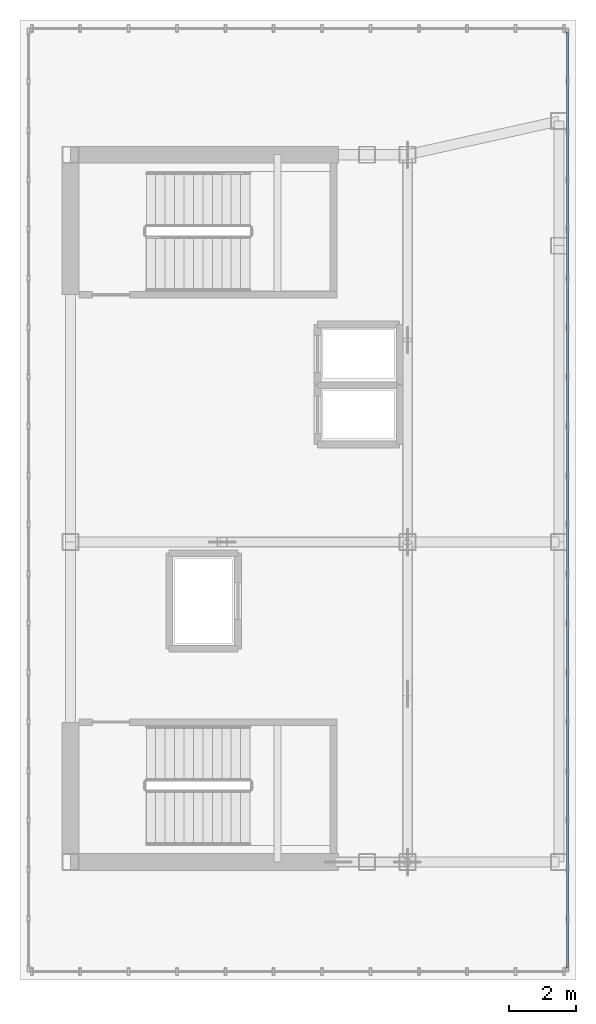
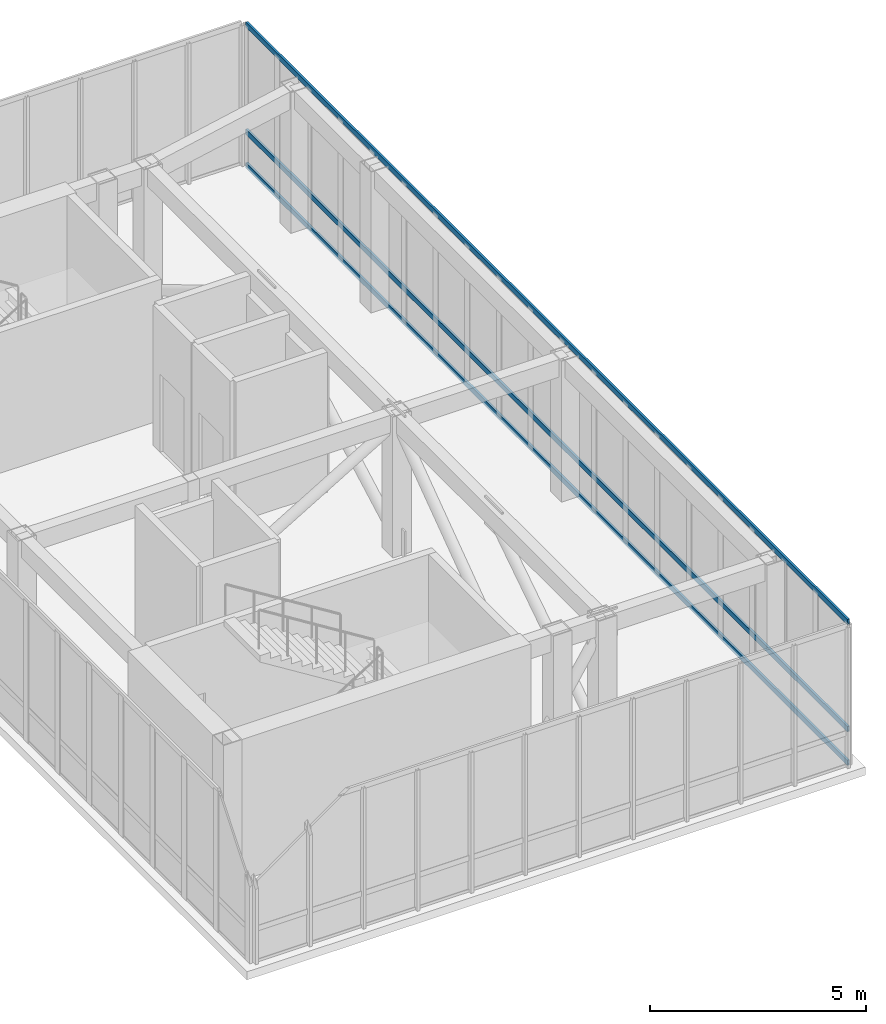
# One storey, part 6 of 13: 3 members, 1 element without a shape of its own.
"""IFC4 building model written with IfcOpenShell, lengths in metres."""

from ifc_helpers import new_model, si_unit, direction, frame, origin, origin_2d, place, context, subcontext, project, spatial, hollow_rectangle, extrude, source, transform, mapped, material, layer, layer_set, material_profile, profile_set, type_object, element, aggregate, save


model = new_model("IFC4")

# Units and contexts
model_context = context("Model", 3, precision=1e-05, world=origin(), true_north=direction((0.0, 1.0)))
body_context = subcontext(model_context, "Body", "Model", "MODEL_VIEW")
ifc_project = project(units=[si_unit("LENGTHUNIT", "METRE"), si_unit("AREAUNIT", "SQUARE_METRE"), si_unit("VOLUMEUNIT", "CUBIC_METRE"), si_unit("PLANEANGLEUNIT", "RADIAN"), si_unit("MASSUNIT", "GRAM", prefix="KILO")], contexts=[model_context])

# Site, building, storey
site_placement = place(None, origin())
site = spatial("IfcSite", under=ifc_project, at=site_placement, CompositionType="ELEMENT")
building_placement = place(site_placement, origin())
building = spatial("IfcBuilding", under=site, at=building_placement, Name="Kharzan Plaza Tower", CompositionType="ELEMENT")
storey_placement = place(building_placement, frame((0.0, 0.0, 289.800048828125)))
storey = spatial("IfcBuildingStorey", under=building, at=storey_placement, Name="L78-CROWN", CompositionType="ELEMENT", Elevation=289.800048828125)

# Curtain wall, members
ifc_material_1 = material(Name="Unitised Bronze-Anodized Aluminium and Low-E Glass", Category="aluminium")
ifc_layer = layer(ifc_material_1, 0.199951171875)
ifc_layer_set = layer_set([ifc_layer], Name="Unitised Bronze-Anodized Aluminium and Low-E Glass")
curtain_wall_type = type_object("IfcCurtainWallType", Name="CW-LANTERN-6", PredefinedType="NOTDEFINED", material=ifc_layer_set)
curtain_wall_placement = place(storey_placement, origin())
curtain_wall = element("IfcCurtainWall", 1, at=curtain_wall_placement, inside=storey, type_object=curtain_wall_type, Name="L78-CROWN Lantern Crown Illuminated Curtain Wall 2", PredefinedType="NOTDEFINED")
ifc_material_2 = material(Name="Anodized Bronze Aluminium", Category="aluminium")
ifc_material_profile = material_profile(ifc_material_2, hollow_rectangle(XDim=0.06005859375, YDim=0.14990234375, WallThickness=0.00341796875, at=origin_2d()), Name="ALU-T150x60x3.5")
ifc_profile_set = profile_set([ifc_material_profile], Name="Anodized Bronze Aluminium")
member_type = type_object("IfcMemberType", Name="MEM-CW-TRN150", PredefinedType="USERDEFINED", material=ifc_profile_set)
shared_shape = source(origin(), body_context, "Body", "SweptSolid", [
    extrude(hollow_rectangle(XDim=0.06005859375, YDim=0.14990234375, WallThickness=0.00341796875, at=origin_2d()), origin(), (0.0, 0.0, 1.0), 27.7998046875),
])
member_1_placement = place(storey_placement, frame((19.25, 5.35009765625, 0.0), z_axis=(0.0, 1.0, 0.0), x_axis=(-1.0, 0.0, 0.0)))
member_1 = element("IfcMember", 2, at=member_1_placement, type_object=member_type, Name="L78-CROWN Curtain-Wall Transom 1", ObjectType="TRANSOM", PredefinedType="USERDEFINED", context=body_context, shape_type="MappedRepresentation", body=[
    mapped(shared_shape, transform((0.0, 0.0, 0.0), x_axis=(1.0, 0.0, 0.0), y_axis=(0.0, 1.0, 0.0), z_axis=(0.0, 0.0, 1.0))),
])
member_2_placement = place(storey_placement, frame((19.25, 5.35009765625, 0.949951171875), z_axis=(0.0, 1.0, 0.0), x_axis=(-1.0, 0.0, 0.0)))
member_2 = element("IfcMember", 3, at=member_2_placement, type_object=member_type, Name="L78-CROWN Curtain-Wall Transom 2", ObjectType="TRANSOM", PredefinedType="USERDEFINED", context=body_context, shape_type="MappedRepresentation", body=[
    mapped(shared_shape, transform((0.0, 0.0, 0.0), x_axis=(1.0, 0.0, 0.0), y_axis=(0.0, 1.0, 0.0), z_axis=(0.0, 0.0, 1.0))),
])
member_3_placement = place(storey_placement, frame((19.25, 5.35009765625, 3.969970703125), z_axis=(0.0, 1.0, 0.0), x_axis=(-1.0, 0.0, 0.0)))
member_3 = element("IfcMember", 4, at=member_3_placement, type_object=member_type, Name="L78-CROWN Curtain-Wall Transom 3", ObjectType="TRANSOM", PredefinedType="USERDEFINED", context=body_context, shape_type="MappedRepresentation", body=[
    mapped(shared_shape, transform((0.0, 0.0, 0.0), x_axis=(1.0, 0.0, 0.0), y_axis=(0.0, 1.0, 0.0), z_axis=(0.0, 0.0, 1.0))),
])
aggregate(curtain_wall, [member_1, member_2, member_3])

save(model, "model.ifc")
